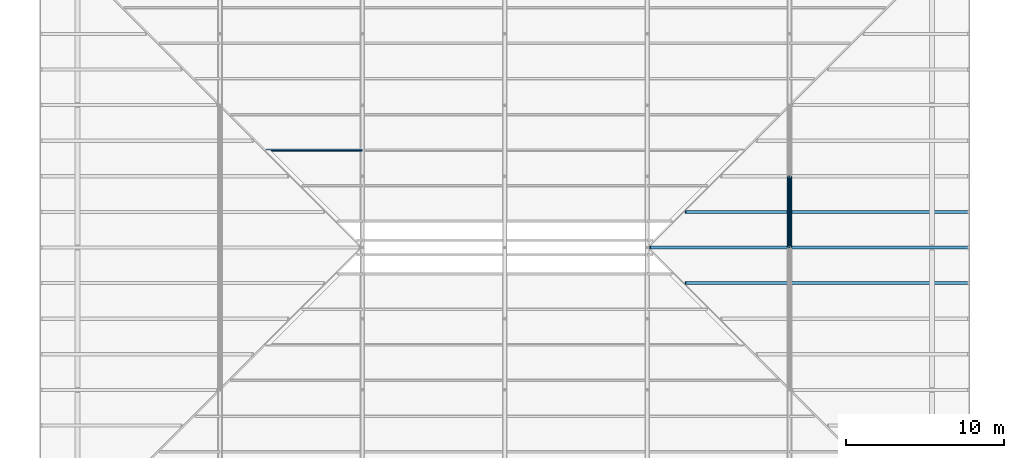
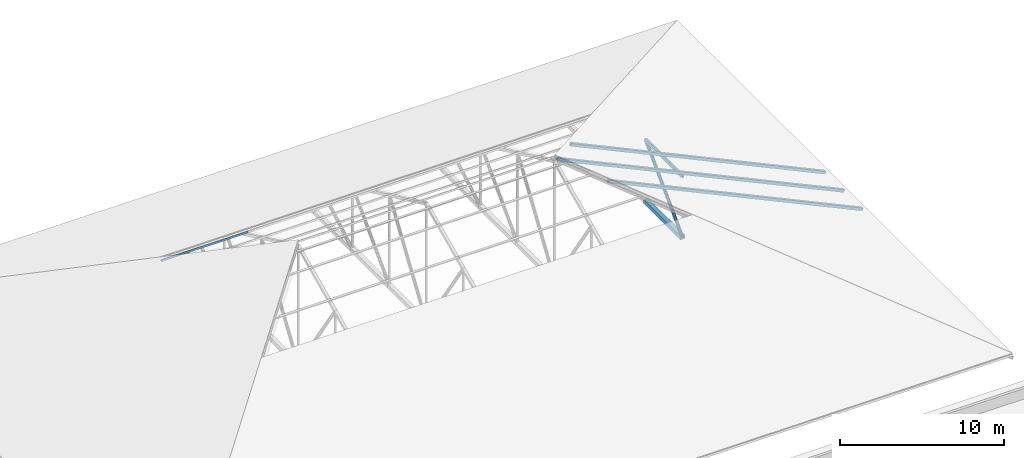
# One storey, part 69 of 154: 7 members.
"""IFC4 building model written with IfcOpenShell, lengths in metres."""

from ifc_helpers import new_model, si_unit, direction, frame, origin, origin_2d, place, context, subcontext, project, spatial, hollow_rectangle, hollow_circle, extrude, material, material_profile, profile_set, type_object, element, save


model = new_model("IFC4")

# Units and contexts
model_context = context("Model", 3, precision=1e-05, world=origin(), true_north=direction((0.0, 1.0)))
body_context = subcontext(model_context, "Body", "Model", "MODEL_VIEW")
ifc_project = project(units=[si_unit("LENGTHUNIT", "METRE"), si_unit("AREAUNIT", "SQUARE_METRE"), si_unit("VOLUMEUNIT", "CUBIC_METRE"), si_unit("PLANEANGLEUNIT", "RADIAN"), si_unit("MASSUNIT", "GRAM", prefix="KILO")], contexts=[model_context])

# Site, building, storey
site_placement = place(None, origin())
site = spatial("IfcSite", under=ifc_project, at=site_placement, CompositionType="ELEMENT")
building_placement = place(site_placement, origin())
building = spatial("IfcBuilding", under=site, at=building_placement, Name="Golden Quay Civic Hall", CompositionType="ELEMENT")
storey_placement = place(building_placement, frame((0.0, 0.0, 14.39990234375)))
storey = spatial("IfcBuildingStorey", under=building, at=storey_placement, Name="L03", CompositionType="ELEMENT", Elevation=14.39990234375)

# Members
ifc_material_1 = material(Name="Steel S355", Category="steel")
ifc_material_profile_1 = material_profile(ifc_material_1, hollow_rectangle(XDim=0.199951171875, YDim=0.199951171875, WallThickness=0.010009765625, at=origin_2d()), Name="SHS 200x200x10")
ifc_profile_set_1 = profile_set([ifc_material_profile_1], Name="Steel S355")
member_type_1 = type_object("IfcMemberType", Name="Steel jack rafter SHS 200x200x10", PredefinedType="RAFTER", material=ifc_profile_set_1)
member_1_placement = place(storey_placement, frame((173.300048828125, 78.75, -0.56787109375), z_axis=(-0.906308647572, 0.0, 0.422616416313), x_axis=(0.0, -1.0, 0.0)))
element("IfcMember", 1, at=member_1_placement, inside=storey, type_object=member_type_1, Name="Jack rafter east 7 L03", PredefinedType="RAFTER", context=body_context, shape_type="SweptSolid", body=[
    extrude(hollow_rectangle(XDim=0.199951171875, YDim=0.199951171875, WallThickness=0.010009765625, at=origin_2d()), origin(), (0.0, 0.0, 1.0), 19.722900390625),
])
member_2_placement = place(storey_placement, frame((173.300048828125, 81.0, -0.56787109375), z_axis=(-0.906310620632, 0.0, 0.422612185023), x_axis=(0.0, -1.0, 0.0)))
element("IfcMember", 2, at=member_2_placement, inside=storey, type_object=member_type_1, Name="Jack rafter east 8 L03", PredefinedType="RAFTER", context=body_context, shape_type="SweptSolid", body=[
    extrude(hollow_rectangle(XDim=0.199951171875, YDim=0.199951171875, WallThickness=0.010009765625, at=origin_2d()), origin(), (0.0, 0.0, 1.0), 22.205322265625),
])
member_3_placement = place(storey_placement, frame((173.300048828125, 83.25, -0.56787109375), z_axis=(-0.906308647572, 0.0, 0.422616416313), x_axis=(0.0, -1.0, 0.0)))
element("IfcMember", 3, at=member_3_placement, inside=storey, type_object=member_type_1, Name="Jack rafter east 9 L03", PredefinedType="RAFTER", context=body_context, shape_type="SweptSolid", body=[
    extrude(hollow_rectangle(XDim=0.199951171875, YDim=0.199951171875, WallThickness=0.010009765625, at=origin_2d()), origin(), (0.0, 0.0, 1.0), 19.722900390625),
])
ifc_material_2 = material(Name="Steel S355", Category="steel")
ifc_material_profile_2 = material_profile(ifc_material_2, hollow_rectangle(XDim=0.1201171875, YDim=0.1201171875, WallThickness=0.008056640625, at=origin_2d()), Name="SHS 120x120x8")
ifc_profile_set_2 = profile_set([ifc_material_profile_2], Name="Steel S355")
member_type_2 = type_object("IfcMemberType", Name="Steel roof purlin SHS 120x120x8", PredefinedType="PURLIN", material=ifc_profile_set_2)
member_4_placement = place(storey_placement, frame((128.925048828125, 87.14990234375, 6.0302734375), z_axis=(1.0, 0.0, 0.0), x_axis=(0.0, 0.906307787037, -0.422618261741)))
element("IfcMember", 4, at=member_4_placement, inside=storey, type_object=member_type_2, Name="Purlin north 7-1 L03", PredefinedType="PURLIN", context=body_context, shape_type="SweptSolid", body=[
    extrude(hollow_rectangle(XDim=0.1201171875, YDim=0.1201171875, WallThickness=0.008056640625, at=origin_2d()), origin(), (0.0, 0.0, 1.0), 6.074951171875),
])
ifc_material_3 = material(Name="Steel S355", Category="steel")
ifc_material_profile_3 = material_profile(ifc_material_3, hollow_rectangle(XDim=0.300048828125, YDim=0.300048828125, WallThickness=0.01611328125, at=origin_2d()), Name="SHS 300x300x16")
ifc_profile_set_3 = profile_set([ifc_material_profile_3], Name="Steel S355")
member_type_3 = type_object("IfcMemberType", Name="Steel truss bottom chord SHS 300x300x16", PredefinedType="USERDEFINED", material=ifc_profile_set_3)
member_5_placement = place(storey_placement, frame((162.0, 81.0, -0.099853515625), z_axis=(0.0, 1.0, 0.0), x_axis=(-1.0, 0.0, 0.0)))
element("IfcMember", 5, at=member_5_placement, inside=storey, type_object=member_type_3, Name="Truss 162 bottom chord 5 L03", ObjectType="TRUSS BOTTOM CHORD", PredefinedType="USERDEFINED", context=body_context, shape_type="SweptSolid", body=[
    extrude(hollow_rectangle(XDim=0.300048828125, YDim=0.300048828125, WallThickness=0.01611328125, at=origin_2d()), origin(), (0.0, 0.0, 1.0), 4.5),
])
ifc_material_4 = material(Name="Steel S355", Category="steel")
ifc_material_profile_4 = material_profile(ifc_material_4, hollow_circle(Radius=0.109619140625, WallThickness=0.010009765625, at=origin_2d()), Name="CHS 219.1x10")
ifc_profile_set_4 = profile_set([ifc_material_profile_4], Name="Steel S355")
member_type_4 = type_object("IfcMemberType", Name="Steel truss diagonal CHS 219.1x10", PredefinedType="BRACE", material=ifc_profile_set_4)
member_6_placement = place(storey_placement, frame((162.0, 81.0, -0.099853515625), z_axis=(0.0, 0.704254536807, 0.709947566646), x_axis=(-1.0, 0.0, 0.0)))
element("IfcMember", 6, at=member_6_placement, inside=storey, type_object=member_type_4, Name="Truss 162 diagonal 5 L03", PredefinedType="BRACE", context=body_context, shape_type="SweptSolid", body=[
    extrude(hollow_circle(Radius=0.109619140625, WallThickness=0.010009765625, at=origin_2d()), origin(), (0.0, 0.0, 1.0), 6.3896484375),
])
ifc_material_5 = material(Name="Steel S355", Category="steel")
ifc_material_profile_5 = material_profile(ifc_material_5, hollow_rectangle(XDim=0.199951171875, YDim=0.199951171875, WallThickness=0.010009765625, at=origin_2d()), Name="SHS 200x200x10")
ifc_profile_set_5 = profile_set([ifc_material_profile_5], Name="Steel S355")
member_type_5 = type_object("IfcMemberType", Name="Steel truss top chord SHS 200x200x10", PredefinedType="USERDEFINED", material=ifc_profile_set_5)
member_7_placement = place(storey_placement, frame((162.0, 81.0, 4.4365234375), z_axis=(0.0, 1.0, 0.0), x_axis=(-0.906307787037, 0.0, 0.422618261741)))
element("IfcMember", 7, at=member_7_placement, inside=storey, type_object=member_type_5, Name="Truss 162 top chord 6 L03", ObjectType="TRUSS TOP CHORD", PredefinedType="USERDEFINED", context=body_context, shape_type="SweptSolid", body=[
    extrude(hollow_rectangle(XDim=0.199951171875, YDim=0.199951171875, WallThickness=0.010009765625, at=origin_2d()), origin(), (0.0, 0.0, 1.0), 4.5),
])

save(model, "model.ifc")
